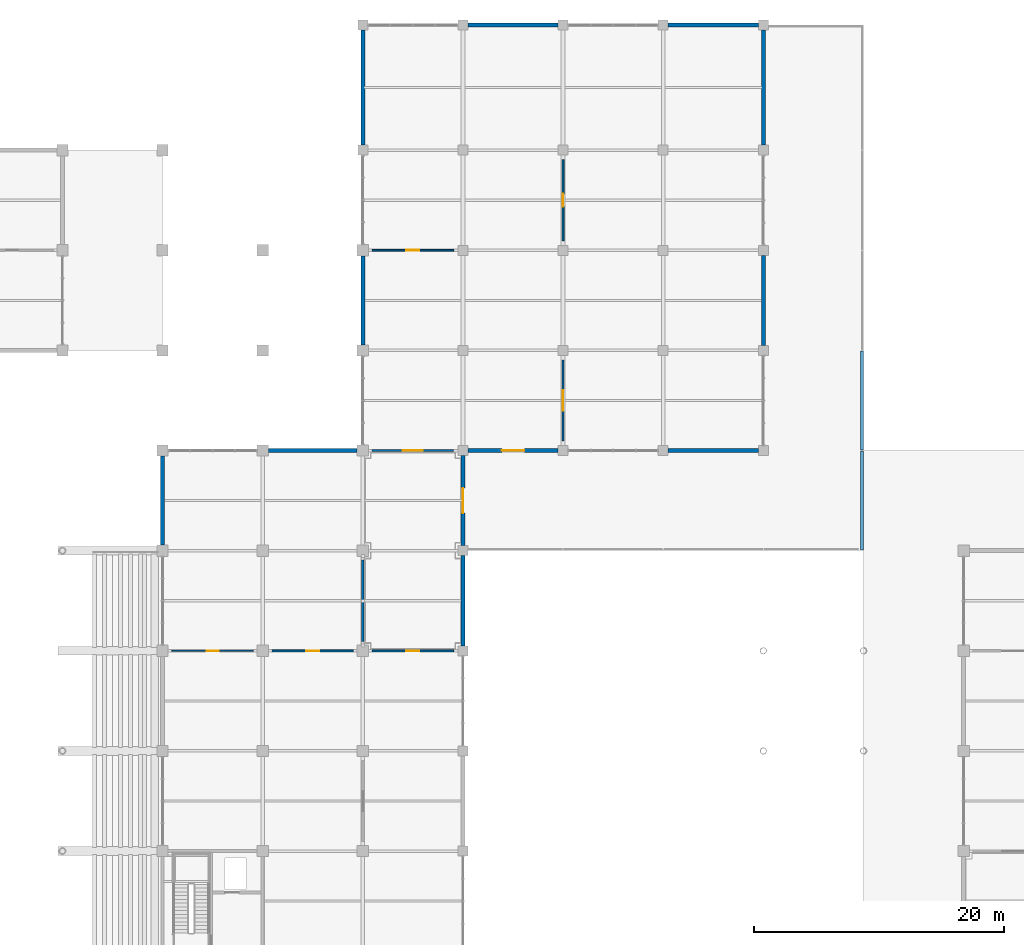
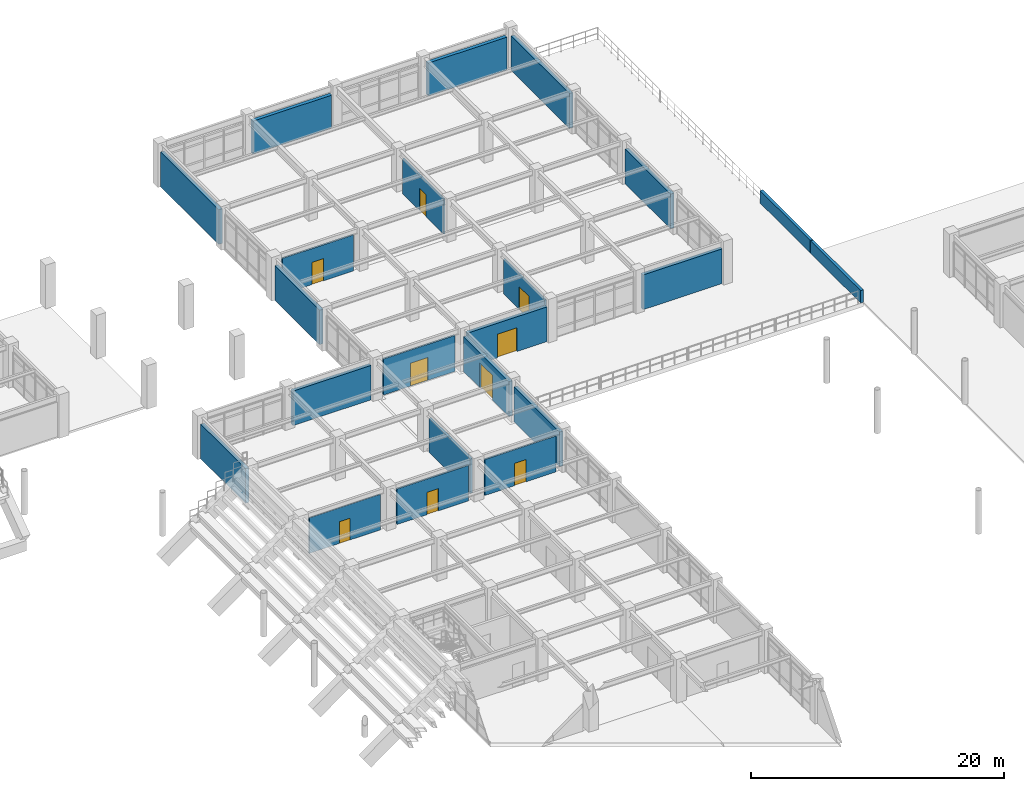
# One storey, part 96 of 118: 22 walls, 9 doors, 9 openings.
"""IFC4 building model written with IfcOpenShell, lengths in metres."""

from ifc_helpers import new_model, si_unit, direction, frame, frame_2d, origin, place, context, subcontext, project, spatial, rectangle, extrude, material, layer, layer_set, type_object, element, fill, save


model = new_model("IFC4")

# Units and contexts
model_context = context("Model", 3, precision=1e-05, world=origin(), true_north=direction((0.0, 1.0)))
body_context = subcontext(model_context, "Body", "Model", "MODEL_VIEW")
ifc_project = project(units=[si_unit("LENGTHUNIT", "METRE"), si_unit("AREAUNIT", "SQUARE_METRE"), si_unit("VOLUMEUNIT", "CUBIC_METRE"), si_unit("PLANEANGLEUNIT", "RADIAN"), si_unit("MASSUNIT", "GRAM", prefix="KILO")], contexts=[model_context])

# Site, building, storey
site_placement = place(None, origin())
site = spatial("IfcSite", under=ifc_project, at=site_placement, CompositionType="ELEMENT")
building_placement = place(site_placement, origin())
building = spatial("IfcBuilding", under=site, at=building_placement, Name="Haebicheon Civic Stadium", CompositionType="ELEMENT")
storey_placement = place(building_placement, frame((0.0, 0.0, 14.39990234375)))
storey = spatial("IfcBuildingStorey", under=building, at=storey_placement, Name="L04", CompositionType="ELEMENT", Elevation=14.39990234375)

# Walls
ifc_material_1 = material(Name="Precast concrete C40/50", Category="concrete")
ifc_layer_1 = layer(ifc_material_1, 0.320068359375, Name="Precast concrete C40/50")
ifc_layer_set_1 = layer_set([ifc_layer_1], Name="Precast concrete C40/50")
wall_type_1 = type_object("IfcWallType", Name="EW-BM-320", PredefinedType="SOLIDWALL", material=ifc_layer_set_1)
wall_1_placement = place(storey_placement, frame((144.0, 136.449951171875, 0.0), z_axis=(0.0, 0.0, 1.0), x_axis=(0.0, 1.0, 0.0)))
element("IfcWall", 1, at=wall_1_placement, inside=storey, type_object=wall_type_1, material=ifc_layer_set_1, Name="L04 board-marked concrete facade wall 18-17-W", PredefinedType="SOLIDWALL", context=body_context, shape_type="SweptSolid", body=[
    extrude(rectangle(XDim=7.10009765625, YDim=0.320068359375, at=frame_2d((3.550048828125, 0.0))), origin(), (0.0, 0.0, 1.0), 3.330078125),
])
wall_2_placement = place(storey_placement, frame((152.449951171875, 144.0, 0.0), z_axis=(0.0, 0.0, 1.0), x_axis=(1.0, 0.0, 0.0)))
element("IfcWall", 2, at=wall_2_placement, inside=storey, type_object=wall_type_1, material=ifc_layer_set_1, Name="L04 board-marked concrete facade wall 19-18-N", PredefinedType="SOLIDWALL", context=body_context, shape_type="SweptSolid", body=[
    extrude(rectangle(XDim=7.10009765625, YDim=0.320068359375, at=frame_2d((3.550048828125, 0.0))), origin(), (0.0, 0.0, 1.0), 3.326171875),
])
wall_3_placement = place(storey_placement, frame((168.0, 128.39990234375, 0.0), z_axis=(0.0, 0.0, 1.0), x_axis=(0.0, 1.0, 0.0)))
element("IfcWall", 3, at=wall_3_placement, inside=storey, type_object=wall_type_1, material=ifc_layer_set_1, Name="L04 board-marked concrete facade wall 21-16-E", PredefinedType="SOLIDWALL", context=body_context, shape_type="SweptSolid", body=[
    extrude(rectangle(XDim=7.2001953125, YDim=0.320068359375, at=frame_2d((3.60009765625, 0.0))), origin(), (0.0, 0.0, 1.0), 3.35009765625),
])

# Wall, opening, door
wall_4_placement = place(storey_placement, frame((168.0, 136.39990234375, 0.0), z_axis=(0.0, 0.0, 1.0), x_axis=(0.0, 1.0, 0.0)))
wall_4 = element("IfcWall", 4, at=wall_4_placement, inside=storey, type_object=wall_type_1, material=ifc_layer_set_1, Name="L04 board-marked concrete facade wall 21-17-E", PredefinedType="SOLIDWALL", context=body_context, shape_type="SweptSolid", body=[
    extrude(rectangle(XDim=7.2001953125, YDim=0.320068359375, at=frame_2d((3.60009765625, 0.0))), origin(), (0.0, 0.0, 1.0), 3.35009765625),
])
opening_1_placement = place(wall_4_placement, frame((2.60009765625, 0.0, 0.0)))
opening_1 = element("IfcOpeningElement", 5, at=opening_1_placement, cuts=wall_4, Name="Opening TR-D03", PredefinedType="OPENING", context=body_context, shape_type="SweptSolid", body=[
    extrude(rectangle(XDim=2.0, YDim=2.39990234375, at=frame_2d((1.0, 1.199951171875))), frame((0.0, 0.169921875, 0.0), z_axis=(0.0, -1.0, 0.0), x_axis=(1.0, 0.0, 0.0)), (0.0, 0.0, 1.0), 0.340087890625),
])
ifc_material_2 = material(Name="Anodised aluminium and laminated glass", Category="aluminium")
door_type_1 = type_object("IfcDoorType", Name="ED-TERR-2000", OperationType="NOTDEFINED", PredefinedType="DOOR", material=ifc_material_2)
door_1_placement = place(opening_1_placement, origin())
door_1 = element("IfcDoor", 6, at=door_1_placement, inside=storey, type_object=door_type_1, material=ifc_material_2, Name="Terrace exit double door TR-03", OperationType="DOUBLE_SWING_LEFT", OverallHeight=2.39990234375, OverallWidth=2.0, PredefinedType="DOOR", context=body_context, shape_type="SweptSolid", body=[
    extrude(rectangle(XDim=2.0, YDim=2.39990234375, at=frame_2d((1.0, 1.199951171875))), frame((0.0, 0.02490234375, 0.0), z_axis=(0.0, -1.0, 0.0), x_axis=(1.0, 0.0, 0.0)), (0.0, 0.0, 1.0), 0.050048828125),
])
fill(opening_1, door_1)

# Walls
wall_5_placement = place(storey_placement, frame((160.0, 152.449951171875, 0.0), z_axis=(0.0, 0.0, 1.0), x_axis=(0.0, 1.0, 0.0)))
element("IfcWall", 7, at=wall_5_placement, inside=storey, type_object=wall_type_1, material=ifc_layer_set_1, Name="L04 board-marked concrete facade wall 20-19-W", PredefinedType="SOLIDWALL", context=body_context, shape_type="SweptSolid", body=[
    extrude(rectangle(XDim=7.10009765625, YDim=0.320068359375, at=frame_2d((3.550048828125, 0.0))), origin(), (0.0, 0.0, 1.0), 3.326171875),
])
wall_6_placement = place(storey_placement, frame((160.0, 168.39990234375, 0.0), z_axis=(0.0, 0.0, 1.0), x_axis=(0.0, 1.0, 0.0)))
element("IfcWall", 8, at=wall_6_placement, inside=storey, type_object=wall_type_1, material=ifc_layer_set_1, Name="L04 board-marked concrete facade wall 20-21-W", PredefinedType="SOLIDWALL", context=body_context, shape_type="SweptSolid", body=[
    extrude(rectangle(XDim=9.2001953125, YDim=0.320068359375, at=frame_2d((4.60009765625, 0.0))), origin(), (0.0, 0.0, 1.0), 3.35009765625),
])

# Wall, opening, door
wall_7_placement = place(storey_placement, frame((168.39990234375, 144.0, 0.0), z_axis=(0.0, 0.0, 1.0), x_axis=(1.0, 0.0, 0.0)))
wall_7 = element("IfcWall", 9, at=wall_7_placement, inside=storey, type_object=wall_type_1, material=ifc_layer_set_1, Name="L04 board-marked concrete facade wall 21-18-S", PredefinedType="SOLIDWALL", context=body_context, shape_type="SweptSolid", body=[
    extrude(rectangle(XDim=7.2001953125, YDim=0.320068359375, at=frame_2d((3.60009765625, 0.0))), origin(), (0.0, 0.0, 1.0), 3.35009765625),
])
opening_2_placement = place(wall_7_placement, frame((2.699951171875, 0.0, 0.0)))
opening_2 = element("IfcOpeningElement", 10, at=opening_2_placement, cuts=wall_7, Name="Opening TR-D05", PredefinedType="OPENING", context=body_context, shape_type="SweptSolid", body=[
    extrude(rectangle(XDim=1.800048828125, YDim=2.300048828125, at=frame_2d((0.89990234375, 1.14990234375))), frame((0.0, 0.169921875, 0.0), z_axis=(0.0, -1.0, 0.0), x_axis=(1.0, 0.0, 0.0)), (0.0, 0.0, 1.0), 0.340087890625),
])
ifc_material_3 = material(Name="Anodised aluminium and laminated glass", Category="aluminium")
door_type_2 = type_object("IfcDoorType", Name="ED-TERR-1800", OperationType="NOTDEFINED", PredefinedType="DOOR", material=ifc_material_3)
door_2_placement = place(opening_2_placement, origin())
door_2 = element("IfcDoor", 11, at=door_2_placement, inside=storey, type_object=door_type_2, material=ifc_material_3, Name="Terrace exit double door TR-05", OperationType="DOUBLE_SWING_LEFT", OverallHeight=2.300048828125, OverallWidth=1.800048828125, PredefinedType="DOOR", context=body_context, shape_type="SweptSolid", body=[
    extrude(rectangle(XDim=1.800048828125, YDim=2.300048828125, at=frame_2d((0.89990234375, 1.14990234375))), frame((0.0, 0.02490234375, 0.0), z_axis=(0.0, -1.0, 0.0), x_axis=(1.0, 0.0, 0.0)), (0.0, 0.0, 1.0), 0.050048828125),
])
fill(opening_2, door_2)

# Walls
wall_8_placement = place(storey_placement, frame((168.39990234375, 178.0, 0.0), z_axis=(0.0, 0.0, 1.0), x_axis=(1.0, 0.0, 0.0)))
element("IfcWall", 12, at=wall_8_placement, inside=storey, type_object=wall_type_1, material=ifc_layer_set_1, Name="L04 board-marked concrete facade wall 21-22-N", PredefinedType="SOLIDWALL", context=body_context, shape_type="SweptSolid", body=[
    extrude(rectangle(XDim=7.2001953125, YDim=0.320068359375, at=frame_2d((3.60009765625, 0.0))), origin(), (0.0, 0.0, 1.0), 3.170166015625),
])
for number, where, z_axis, x_axis, name in (
    (13, (184.39990234375, 144.0, 0.0), (0.0, 0.0, 1.0), (1.0, 0.0, 0.0), "L04 board-marked concrete facade wall 23-18-S"),
    (14, (192.0, 152.39990234375, 0.0), (0.0, 0.0, 1.0), (0.0, 1.0, 0.0), "L04 board-marked concrete facade wall 24-19-E"),
):
    element("IfcWall", number, at=place(storey_placement, frame(where, z_axis=z_axis, x_axis=x_axis)), inside=storey, type_object=wall_type_1, material=ifc_layer_set_1, Name=name, PredefinedType="SOLIDWALL", context=body_context, shape_type="SweptSolid", body=[
        extrude(rectangle(XDim=7.2001953125, YDim=0.320068359375, at=frame_2d((3.60009765625, 0.0))), origin(), (0.0, 0.0, 1.0), 3.35009765625),
    ])
wall_9_placement = place(storey_placement, frame((184.39990234375, 178.0, 0.0), z_axis=(0.0, 0.0, 1.0), x_axis=(1.0, 0.0, 0.0)))
element("IfcWall", 15, at=wall_9_placement, inside=storey, type_object=wall_type_1, material=ifc_layer_set_1, Name="L04 board-marked concrete facade wall 23-22-N", PredefinedType="SOLIDWALL", context=body_context, shape_type="SweptSolid", body=[
    extrude(rectangle(XDim=7.2001953125, YDim=0.320068359375, at=frame_2d((3.60009765625, 0.0))), origin(), (0.0, 0.0, 1.0), 3.170166015625),
])
wall_10_placement = place(storey_placement, frame((192.0, 168.39990234375, 0.0), z_axis=(0.0, 0.0, 1.0), x_axis=(0.0, 1.0, 0.0)))
element("IfcWall", 16, at=wall_10_placement, inside=storey, type_object=wall_type_1, material=ifc_layer_set_1, Name="L04 board-marked concrete facade wall 24-21-E", PredefinedType="SOLIDWALL", context=body_context, shape_type="SweptSolid", body=[
    extrude(rectangle(XDim=9.2001953125, YDim=0.320068359375, at=frame_2d((4.60009765625, 0.0))), origin(), (0.0, 0.0, 1.0), 3.35009765625),
])
ifc_material_4 = material(Name="Precast concrete C40/50", Category="concrete")
ifc_layer_2 = layer(ifc_material_4, 0.25, Name="Precast concrete C40/50")
ifc_layer_set_2 = layer_set([ifc_layer_2], Name="Precast concrete C40/50")
wall_type_2 = type_object("IfcWallType", Name="EW-PAR-250", PredefinedType="PARAPET", material=ifc_layer_set_2)
for number, where, z_axis, x_axis, name in (
    (17, (199.8701171875, 136.0400390625, 0.0), (0.0, 0.0, 1.0), (0.0, 1.0, 0.0), "L04 terrace perimeter parapet 24-17-E"),
    (18, (199.8701171875, 144.0400390625, 0.0), (0.0, 0.0, 1.0), (0.0, 1.0, 0.0), "L04 terrace perimeter parapet 24-18-E"),
):
    element("IfcWall", number, at=place(storey_placement, frame(where, z_axis=z_axis, x_axis=x_axis)), inside=storey, type_object=wall_type_2, material=ifc_layer_set_2, Name=name, PredefinedType="PARAPET", context=body_context, shape_type="SweptSolid", body=[
        extrude(rectangle(XDim=7.919921875, YDim=0.25, at=frame_2d((3.9599609375, 0.0))), origin(), (0.0, 0.0, 1.0), 1.2001953125),
    ])
ifc_material_5 = material(Name="Concrete C35/45", Category="concrete")
ifc_layer_3 = layer(ifc_material_5, 0.199951171875, Name="Concrete C35/45")
ifc_layer_set_3 = layer_set([ifc_layer_3], Name="Concrete C35/45")
wall_type_3 = type_object("IfcWallType", Name="IW-FIR-200", PredefinedType="PARTITIONING", material=ifc_layer_set_3)
wall_11_placement = place(storey_placement, frame((160.0, 128.75, 0.0), z_axis=(0.0, 0.0, 1.0), x_axis=(0.0, 1.0, 0.0)))
element("IfcWall", 19, at=wall_11_placement, inside=storey, type_object=wall_type_3, material=ifc_layer_set_3, Name="L04 braced-frame solid fire wall 20-16", PredefinedType="PARTITIONING", context=body_context, shape_type="SweptSolid", body=[
    extrude(rectangle(XDim=6.5, YDim=0.199951171875, at=frame_2d((3.25, 0.0))), origin(), (0.0, 0.0, 1.0), 3.330078125),
])

# Wall, opening, door
ifc_material_6 = material(Name="Anodised aluminium and laminated glass", Category="aluminium")
ifc_layer_4 = layer(ifc_material_6, 0.10009765625, Name="Anodised aluminium and laminated glass")
ifc_layer_set_4 = layer_set([ifc_layer_4], Name="Anodised aluminium and laminated glass")
wall_type_4 = type_object("IfcWallType", Name="IW-PRT-100", PredefinedType="PARTITIONING", material=ifc_layer_set_4)
wall_12_placement = place(storey_placement, frame((144.75, 128.0, 0.0), z_axis=(0.0, 0.0, 1.0), x_axis=(1.0, 0.0, 0.0)))
wall_12 = element("IfcWall", 20, at=wall_12_placement, inside=storey, type_object=wall_type_4, material=ifc_layer_set_4, Name="L04 Hospitality Service Pantry partition wall", PredefinedType="PARTITIONING", context=body_context, shape_type="SweptSolid", body=[
    extrude(rectangle(XDim=6.5, YDim=0.10009765625, at=frame_2d((3.25, 0.0))), origin(), (0.0, 0.0, 1.0), 3.43017578125),
])
opening_3_placement = place(wall_12_placement, frame((2.77490234375, 0.0, 0.0)))
opening_3 = element("IfcOpeningElement", 21, at=opening_3_placement, cuts=wall_12, Name="Opening D-L04-395", PredefinedType="OPENING", context=body_context, shape_type="SweptSolid", body=[
    extrude(rectangle(XDim=0.949951171875, YDim=2.10009765625, at=frame_2d((0.47509765625, 1.050048828125))), frame((0.0, 0.06005859375, 0.0), z_axis=(0.0, -1.0, 0.0), x_axis=(1.0, 0.0, 0.0)), (0.0, 0.0, 1.0), 0.1201171875),
])
ifc_material_7 = material(Name="Engineered hardwood timber", Category="wood")
door_type_3 = type_object("IfcDoorType", Name="ID-RM-0950", OperationType="NOTDEFINED", PredefinedType="DOOR", material=ifc_material_7)
door_3_placement = place(opening_3_placement, origin())
door_3 = element("IfcDoor", 22, at=door_3_placement, inside=storey, type_object=door_type_3, material=ifc_material_7, Name="L04 Hospitality Service Pantry entrance door D-L04-395", OperationType="SINGLE_SWING_RIGHT", OverallHeight=2.10009765625, OverallWidth=0.949951171875, PredefinedType="DOOR", context=body_context, shape_type="SweptSolid", body=[
    extrude(rectangle(XDim=0.949951171875, YDim=2.10009765625, at=frame_2d((0.47509765625, 1.050048828125))), frame((0.0, 0.02490234375, 0.0), z_axis=(0.0, -1.0, 0.0), x_axis=(1.0, 0.0, 0.0)), (0.0, 0.0, 1.0), 0.050048828125),
])
fill(opening_3, door_3)

ifc_material_8 = material(Name="Gypsum plasterboard on steel studs", Category="gypsum")
ifc_layer_5 = layer(ifc_material_8, 0.14990234375, Name="Gypsum plasterboard on steel studs")
ifc_layer_set_5 = layer_set([ifc_layer_5], Name="Gypsum plasterboard on steel studs")
wall_type_5 = type_object("IfcWallType", Name="IW-PRT-150", PredefinedType="PARTITIONING", material=ifc_layer_set_5)
wall_13_placement = place(storey_placement, frame((152.75, 128.0, 0.0), z_axis=(0.0, 0.0, 1.0), x_axis=(1.0, 0.0, 0.0)))
wall_13 = element("IfcWall", 23, at=wall_13_placement, inside=storey, type_object=wall_type_5, material=ifc_layer_set_5, Name="L04 Hospitality Suite partition wall", PredefinedType="PARTITIONING", context=body_context, shape_type="SweptSolid", body=[
    extrude(rectangle(XDim=6.5, YDim=0.14990234375, at=frame_2d((3.25, 0.0))), origin(), (0.0, 0.0, 1.0), 3.43017578125),
])
opening_4_placement = place(wall_13_placement, frame((2.72509765625, 0.0, 0.0)))
opening_4 = element("IfcOpeningElement", 24, at=opening_4_placement, cuts=wall_13, Name="Opening D-L04-396", PredefinedType="OPENING", context=body_context, shape_type="SweptSolid", body=[
    extrude(rectangle(XDim=1.050048828125, YDim=2.14990234375, at=frame_2d((0.52490234375, 1.074951171875))), frame((0.0, 0.0849609375, 0.0), z_axis=(0.0, -1.0, 0.0), x_axis=(1.0, 0.0, 0.0)), (0.0, 0.0, 1.0), 0.169921875),
])
ifc_material_9 = material(Name="Engineered hardwood timber", Category="wood")
door_type_4 = type_object("IfcDoorType", Name="ID-RM-1050", OperationType="NOTDEFINED", PredefinedType="DOOR", material=ifc_material_9)
door_4_placement = place(opening_4_placement, origin())
door_4 = element("IfcDoor", 25, at=door_4_placement, inside=storey, type_object=door_type_4, material=ifc_material_9, Name="L04 Hospitality Suite entrance door D-L04-396", OperationType="SINGLE_SWING_LEFT", OverallHeight=2.14990234375, OverallWidth=1.050048828125, PredefinedType="DOOR", context=body_context, shape_type="SweptSolid", body=[
    extrude(rectangle(XDim=1.050048828125, YDim=2.14990234375, at=frame_2d((0.52490234375, 1.074951171875))), frame((0.0, 0.02490234375, 0.0), z_axis=(0.0, -1.0, 0.0), x_axis=(1.0, 0.0, 0.0)), (0.0, 0.0, 1.0), 0.050048828125),
])
fill(opening_4, door_4)

wall_14_placement = place(storey_placement, frame((160.75, 128.0, 0.0), z_axis=(0.0, 0.0, 1.0), x_axis=(1.0, 0.0, 0.0)))
wall_14 = element("IfcWall", 26, at=wall_14_placement, inside=storey, type_object=wall_type_5, material=ifc_layer_set_5, Name="L04 Hospitality Suite partition wall", PredefinedType="PARTITIONING", context=body_context, shape_type="SweptSolid", body=[
    extrude(rectangle(XDim=6.5, YDim=0.14990234375, at=frame_2d((3.25, 0.0))), origin(), (0.0, 0.0, 1.0), 3.47021484375),
])
opening_5_placement = place(wall_14_placement, frame((2.72509765625, 0.0, 0.0)))
opening_5 = element("IfcOpeningElement", 27, at=opening_5_placement, cuts=wall_14, Name="Opening D-L04-419", PredefinedType="OPENING", context=body_context, shape_type="SweptSolid", body=[
    extrude(rectangle(XDim=1.050048828125, YDim=2.14990234375, at=frame_2d((0.52490234375, 1.074951171875))), frame((0.0, 0.0849609375, 0.0), z_axis=(0.0, -1.0, 0.0), x_axis=(1.0, 0.0, 0.0)), (0.0, 0.0, 1.0), 0.169921875),
])
door_5_placement = place(opening_5_placement, origin())
door_5 = element("IfcDoor", 28, at=door_5_placement, inside=storey, type_object=door_type_4, material=ifc_material_9, Name="L04 Hospitality Suite entrance door D-L04-419", OperationType="SINGLE_SWING_LEFT", OverallHeight=2.14990234375, OverallWidth=1.050048828125, PredefinedType="DOOR", context=body_context, shape_type="SweptSolid", body=[
    extrude(rectangle(XDim=1.050048828125, YDim=2.14990234375, at=frame_2d((0.52490234375, 1.074951171875))), frame((0.0, 0.02490234375, 0.0), z_axis=(0.0, -1.0, 0.0), x_axis=(1.0, 0.0, 0.0)), (0.0, 0.0, 1.0), 0.050048828125),
])
fill(opening_5, door_5)

wall_15_placement = place(storey_placement, frame((160.75, 144.0, 0.0), z_axis=(0.0, 0.0, 1.0), x_axis=(1.0, 0.0, 0.0)))
wall_15 = element("IfcWall", 29, at=wall_15_placement, inside=storey, type_object=wall_type_5, material=ifc_layer_set_5, Name="L04 Garden Terrace Dining Lounge partition wall", PredefinedType="PARTITIONING", context=body_context, shape_type="SweptSolid", body=[
    extrude(rectangle(XDim=6.5, YDim=0.14990234375, at=frame_2d((3.25, 0.0))), origin(), (0.0, 0.0, 1.0), 3.47021484375),
])
opening_6_placement = place(wall_15_placement, frame((2.449951171875, 0.0, 0.0)))
opening_6 = element("IfcOpeningElement", 30, at=opening_6_placement, cuts=wall_15, Name="Opening D-L04-420", PredefinedType="OPENING", context=body_context, shape_type="SweptSolid", body=[
    extrude(rectangle(XDim=1.60009765625, YDim=2.199951171875, at=frame_2d((0.800048828125, 1.10009765625))), frame((0.0, 0.0849609375, 0.0), z_axis=(0.0, -1.0, 0.0), x_axis=(1.0, 0.0, 0.0)), (0.0, 0.0, 1.0), 0.169921875),
])
ifc_material_10 = material(Name="Anodised aluminium and laminated glass", Category="aluminium")
door_type_5 = type_object("IfcDoorType", Name="ID-DBL-1600", OperationType="NOTDEFINED", PredefinedType="DOOR", material=ifc_material_10)
door_6_placement = place(opening_6_placement, origin())
door_6 = element("IfcDoor", 31, at=door_6_placement, inside=storey, type_object=door_type_5, material=ifc_material_10, Name="L04 Garden Terrace Dining Lounge entrance door D-L04-420", OperationType="DOUBLE_SWING_LEFT", OverallHeight=2.199951171875, OverallWidth=1.60009765625, PredefinedType="DOOR", context=body_context, shape_type="SweptSolid", body=[
    extrude(rectangle(XDim=1.60009765625, YDim=2.199951171875, at=frame_2d((0.800048828125, 1.10009765625))), frame((0.0, 0.02490234375, 0.0), z_axis=(0.0, -1.0, 0.0), x_axis=(1.0, 0.0, 0.0)), (0.0, 0.0, 1.0), 0.050048828125),
])
fill(opening_6, door_6)

wall_16_placement = place(storey_placement, frame((160.75, 160.0, 0.0), z_axis=(0.0, 0.0, 1.0), x_axis=(1.0, 0.0, 0.0)))
wall_16 = element("IfcWall", 32, at=wall_16_placement, inside=storey, type_object=wall_type_5, material=ifc_layer_set_5, Name="L04 Hospitality Suite partition wall", PredefinedType="PARTITIONING", context=body_context, shape_type="SweptSolid", body=[
    extrude(rectangle(XDim=6.5, YDim=0.14990234375, at=frame_2d((3.25, 0.0))), origin(), (0.0, 0.0, 1.0), 3.47021484375),
])
opening_7_placement = place(wall_16_placement, frame((2.72509765625, 0.0, 0.0)))
opening_7 = element("IfcOpeningElement", 33, at=opening_7_placement, cuts=wall_16, Name="Opening D-L04-421", PredefinedType="OPENING", context=body_context, shape_type="SweptSolid", body=[
    extrude(rectangle(XDim=1.050048828125, YDim=2.14990234375, at=frame_2d((0.52490234375, 1.074951171875))), frame((0.0, 0.0849609375, 0.0), z_axis=(0.0, -1.0, 0.0), x_axis=(1.0, 0.0, 0.0)), (0.0, 0.0, 1.0), 0.169921875),
])
door_7_placement = place(opening_7_placement, origin())
door_7 = element("IfcDoor", 34, at=door_7_placement, inside=storey, type_object=door_type_4, material=ifc_material_9, Name="L04 Hospitality Suite entrance door D-L04-421", OperationType="SINGLE_SWING_RIGHT", OverallHeight=2.14990234375, OverallWidth=1.050048828125, PredefinedType="DOOR", context=body_context, shape_type="SweptSolid", body=[
    extrude(rectangle(XDim=1.050048828125, YDim=2.14990234375, at=frame_2d((0.52490234375, 1.074951171875))), frame((0.0, 0.02490234375, 0.0), z_axis=(0.0, -1.0, 0.0), x_axis=(1.0, 0.0, 0.0)), (0.0, 0.0, 1.0), 0.050048828125),
])
fill(opening_7, door_7)

wall_17_placement = place(storey_placement, frame((176.0, 144.75, 0.0), z_axis=(0.0, 0.0, 1.0), x_axis=(0.0, 1.0, 0.0)))
wall_17 = element("IfcWall", 35, at=wall_17_placement, inside=storey, type_object=wall_type_5, material=ifc_layer_set_5, Name="L04 Garden Terrace Dining Lounge partition wall", PredefinedType="PARTITIONING", context=body_context, shape_type="SweptSolid", body=[
    extrude(rectangle(XDim=6.5, YDim=0.14990234375, at=frame_2d((3.25, 0.0))), origin(), (0.0, 0.0, 1.0), 3.3701171875),
])
opening_8_placement = place(wall_17_placement, frame((2.449951171875, 0.0, 0.0)))
opening_8 = element("IfcOpeningElement", 36, at=opening_8_placement, cuts=wall_17, Name="Opening D-L04-424", PredefinedType="OPENING", context=body_context, shape_type="SweptSolid", body=[
    extrude(rectangle(XDim=1.60009765625, YDim=2.199951171875, at=frame_2d((0.800048828125, 1.10009765625))), frame((0.0, 0.0849609375, 0.0), z_axis=(0.0, -1.0, 0.0), x_axis=(1.0, 0.0, 0.0)), (0.0, 0.0, 1.0), 0.169921875),
])
door_8_placement = place(opening_8_placement, origin())
door_8 = element("IfcDoor", 37, at=door_8_placement, inside=storey, type_object=door_type_5, material=ifc_material_10, Name="L04 Garden Terrace Dining Lounge entrance door D-L04-424", OperationType="DOUBLE_SWING_LEFT", OverallHeight=2.199951171875, OverallWidth=1.60009765625, PredefinedType="DOOR", context=body_context, shape_type="SweptSolid", body=[
    extrude(rectangle(XDim=1.60009765625, YDim=2.199951171875, at=frame_2d((0.800048828125, 1.10009765625))), frame((0.0, 0.02490234375, 0.0), z_axis=(0.0, -1.0, 0.0), x_axis=(1.0, 0.0, 0.0)), (0.0, 0.0, 1.0), 0.050048828125),
])
fill(opening_8, door_8)

wall_18_placement = place(storey_placement, frame((176.0, 160.75, 0.0), z_axis=(0.0, 0.0, 1.0), x_axis=(0.0, 1.0, 0.0)))
wall_18 = element("IfcWall", 38, at=wall_18_placement, inside=storey, type_object=wall_type_5, material=ifc_layer_set_5, Name="L04 Hospitality Suite partition wall", PredefinedType="PARTITIONING", context=body_context, shape_type="SweptSolid", body=[
    extrude(rectangle(XDim=6.5, YDim=0.14990234375, at=frame_2d((3.25, 0.0))), origin(), (0.0, 0.0, 1.0), 3.3701171875),
])
opening_9_placement = place(wall_18_placement, frame((2.72509765625, 0.0, 0.0)))
opening_9 = element("IfcOpeningElement", 39, at=opening_9_placement, cuts=wall_18, Name="Opening D-L04-425", PredefinedType="OPENING", context=body_context, shape_type="SweptSolid", body=[
    extrude(rectangle(XDim=1.050048828125, YDim=2.14990234375, at=frame_2d((0.52490234375, 1.074951171875))), frame((0.0, 0.0849609375, 0.0), z_axis=(0.0, -1.0, 0.0), x_axis=(1.0, 0.0, 0.0)), (0.0, 0.0, 1.0), 0.169921875),
])
door_9_placement = place(opening_9_placement, origin())
door_9 = element("IfcDoor", 40, at=door_9_placement, inside=storey, type_object=door_type_4, material=ifc_material_9, Name="L04 Hospitality Suite entrance door D-L04-425", OperationType="SINGLE_SWING_RIGHT", OverallHeight=2.14990234375, OverallWidth=1.050048828125, PredefinedType="DOOR", context=body_context, shape_type="SweptSolid", body=[
    extrude(rectangle(XDim=1.050048828125, YDim=2.14990234375, at=frame_2d((0.52490234375, 1.074951171875))), frame((0.0, 0.02490234375, 0.0), z_axis=(0.0, -1.0, 0.0), x_axis=(1.0, 0.0, 0.0)), (0.0, 0.0, 1.0), 0.050048828125),
])
fill(opening_9, door_9)

save(model, "model.ifc")
